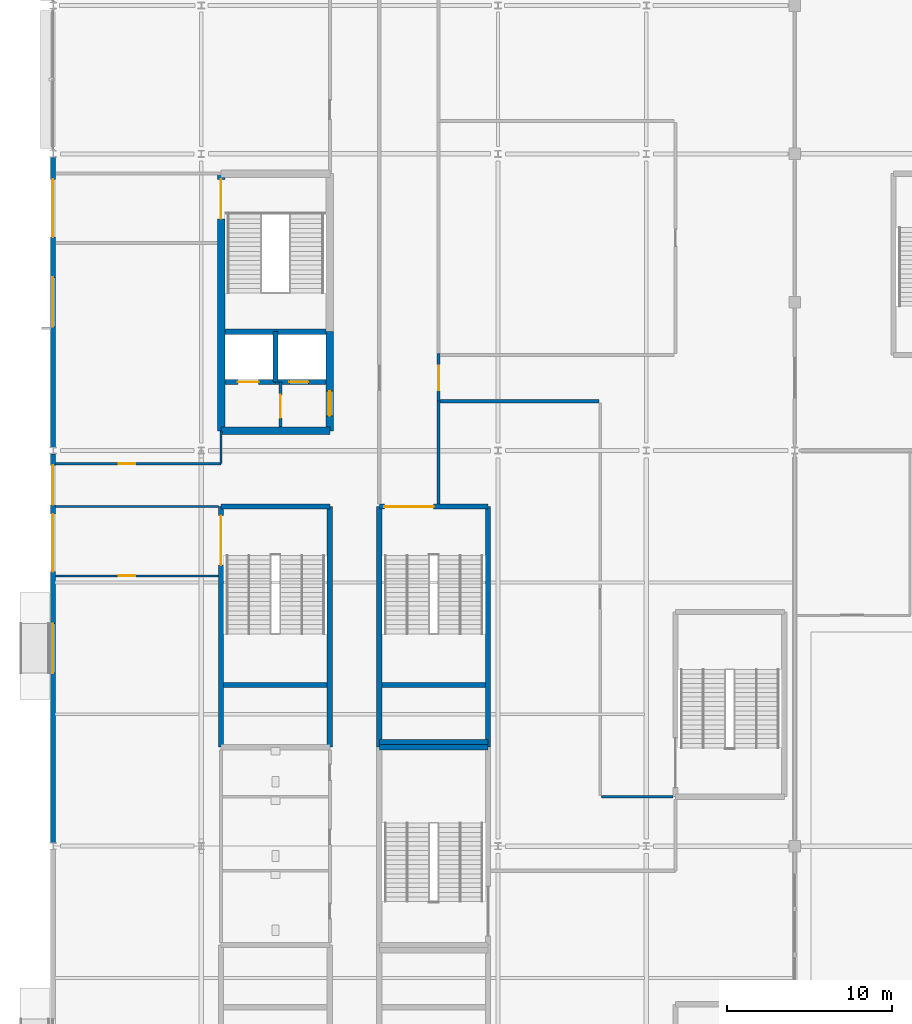
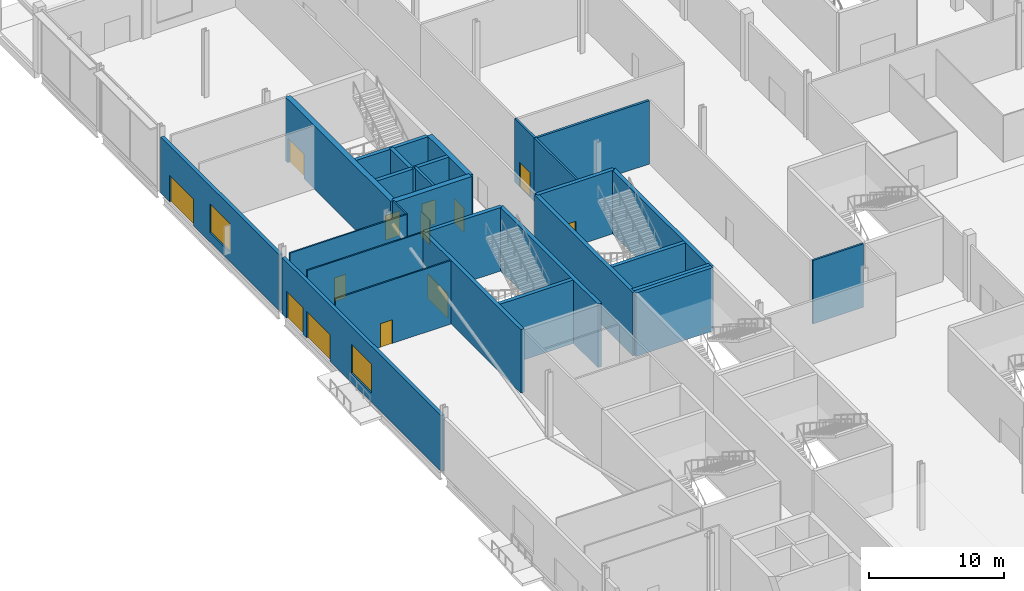
# One storey, part 34 of 84: 28 walls, 13 doors, 2 windows, 15 openings.
"""IFC4 building model written with IfcOpenShell, lengths in metres."""

from ifc_helpers import new_model, si_unit, direction, frame, frame_2d, origin, place, context, subcontext, project, spatial, rectangle, extrude, material, layer, layer_set, type_object, element, fill, save


model = new_model("IFC4")

# Units and contexts
model_context = context("Model", 3, precision=1e-05, world=origin(), true_north=direction((0.0, 1.0)))
body_context = subcontext(model_context, "Body", "Model", "MODEL_VIEW")
ifc_project = project(units=[si_unit("LENGTHUNIT", "METRE"), si_unit("AREAUNIT", "SQUARE_METRE"), si_unit("VOLUMEUNIT", "CUBIC_METRE"), si_unit("PLANEANGLEUNIT", "RADIAN"), si_unit("MASSUNIT", "GRAM", prefix="KILO")], contexts=[model_context])

# Site, building, storey
site_placement = place(None, origin())
site = spatial("IfcSite", under=ifc_project, at=site_placement, CompositionType="ELEMENT")
building_placement = place(site_placement, origin())
building = spatial("IfcBuilding", under=site, at=building_placement, Name="Kisiwana Market Hall", CompositionType="ELEMENT")
storey_placement = place(building_placement, origin())
storey = spatial("IfcBuildingStorey", under=building, at=storey_placement, Name="L00", CompositionType="ELEMENT", Elevation=0.0)

# Wall, opening, door
ifc_material_1 = material(Name="Masonry blockwork", Category="masonry")
ifc_layer_1 = layer(ifc_material_1, 0.199951171875, Name="Plastered fire compartment block wall")
ifc_layer_set_1 = layer_set([ifc_layer_1], Name="WL-COMP-200")
wall_type_1 = type_object("IfcWallType", Name="WL-COMP-200", PredefinedType="PARTITIONING", material=ifc_layer_set_1)
wall_1_placement = place(storey_placement, frame((13.800048828125, 85.425048828125, 0.0), z_axis=(0.0, 0.0, 1.0), x_axis=(0.0, 1.0, 0.0)))
wall_1 = element("IfcWall", 1, at=wall_1_placement, inside=storey, type_object=wall_type_1, Name="Core W1 firefighting lobby wall W-0530", PredefinedType="PARTITIONING", context=body_context, shape_type="SweptSolid", body=[
    extrude(rectangle(XDim=2.72998046875, YDim=0.199951171875, at=frame_2d((1.364990234375, 0.0))), origin(), (0.0, 0.0, 1.0), 5.75),
])
opening_1_placement = place(wall_1_placement, frame((0.550048828125, 0.0, 0.0)))
opening_1 = element("IfcOpeningElement", 2, at=opening_1_placement, cuts=wall_1, Name="Opening DR-L00-006", PredefinedType="OPENING", context=body_context, shape_type="SweptSolid", body=[
    extrude(rectangle(XDim=1.39990234375, YDim=2.25, at=frame_2d((0.699951171875, 1.125))), frame((0.0, 0.11181640625, 0.0), z_axis=(0.0, -1.0, 0.0), x_axis=(1.0, 0.0, 0.0)), (0.0, 0.0, 1.0), 0.223876953125),
])
ifc_material_2 = material(Name="Steel S275", Category="steel")
door_type_1 = type_object("IfcDoorType", Name="DR-FFLOB-FD120-1400", OperationType="DOUBLE_DOOR_SINGLE_SWING", PredefinedType="DOOR", material=ifc_material_2)
door_1_placement = place(opening_1_placement, frame((1.39990234375, 0.0, 0.0), z_axis=(0.0, 0.0, 1.0), x_axis=(-1.0, 0.0, 0.0)))
door_1 = element("IfcDoor", 3, at=door_1_placement, inside=storey, type_object=door_type_1, Name="Firefighting Lift Lobby W1 Door (L00)", OperationType="DOUBLE_DOOR_SINGLE_SWING", OverallHeight=2.25, OverallWidth=1.39990234375, PredefinedType="DOOR", context=body_context, shape_type="SweptSolid", body=[
    extrude(rectangle(XDim=1.39990234375, YDim=2.25, at=frame_2d((0.699951171875, 1.125))), frame((0.0, 0.02490234375, 0.0), z_axis=(0.0, -1.0, 0.0), x_axis=(1.0, 0.0, 0.0)), (0.0, 0.0, 1.0), 0.050048828125),
])
fill(opening_1, door_1)

# Walls
wall_2_placement = place(storey_placement, frame((23.39990234375, 87.0, 0.0), z_axis=(0.0, 0.0, 1.0), x_axis=(1.0, 0.0, 0.0)))
element("IfcWall", 4, at=wall_2_placement, inside=storey, type_object=wall_type_1, Name="Interior partition W-0549", PredefinedType="PARTITIONING", context=body_context, shape_type="SweptSolid", body=[
    extrude(rectangle(XDim=9.715087890625, YDim=0.199951171875, at=frame_2d((4.857421875, 0.0))), origin(), (0.0, 0.0, 1.0), 5.75),
])
ifc_material_3 = material(Name="Concrete C40/50", Category="concrete")
ifc_layer_2 = layer(ifc_material_3, 0.320068359375, Name="Reinforced concrete shaft wall")
ifc_layer_set_2 = layer_set([ifc_layer_2], Name="WL-CORE-320")
wall_type_2 = type_object("IfcWallType", Name="WL-CORE-320", PredefinedType="SHEAR", material=ifc_layer_set_2)
wall_3_placement = place(storey_placement, frame((10.425048828125, 91.215087890625, 0.0), z_axis=(0.0, 0.0, 1.0), x_axis=(1.0, 0.0, 0.0)))
element("IfcWall", 5, at=wall_3_placement, inside=storey, type_object=wall_type_2, Name="Core W1 shaft back shear wall W-0349", PredefinedType="SHEAR", context=body_context, shape_type="SweptSolid", body=[
    extrude(rectangle(XDim=6.14990234375, YDim=0.320068359375, at=frame_2d((3.074951171875, 0.0))), origin(), (0.0, 0.0, 1.0), 5.75),
])
wall_4_placement = place(storey_placement, frame((13.5, 88.155029296875, 0.0), z_axis=(0.0, 0.0, 1.0), x_axis=(0.0, 1.0, 0.0)))
element("IfcWall", 6, at=wall_4_placement, inside=storey, type_object=wall_type_2, Name="Core W1 inter-shaft shear wall W-0350", PredefinedType="SHEAR", context=body_context, shape_type="SweptSolid", body=[
    extrude(rectangle(XDim=3.06005859375, YDim=0.320068359375, at=frame_2d((1.530029296875, 0.0))), origin(), (0.0, 0.0, 1.0), 5.75),
])

# Wall, opening, door
wall_5_placement = place(storey_placement, frame((10.425048828125, 88.155029296875, 0.0), z_axis=(0.0, 0.0, 1.0), x_axis=(1.0, 0.0, 0.0)))
wall_5 = element("IfcWall", 7, at=wall_5_placement, inside=storey, type_object=wall_type_2, Name="Core W1 west lift front wall W-0351", PredefinedType="SHEAR", context=body_context, shape_type="SweptSolid", body=[
    extrude(rectangle(XDim=3.074951171875, YDim=0.320068359375, at=frame_2d((1.53759765625, 0.0))), origin(), (0.0, 0.0, 1.0), 5.75),
])
opening_2_placement = place(wall_5_placement, frame((0.800048828125, 0.0, 0.0)))
opening_2 = element("IfcOpeningElement", 8, at=opening_2_placement, cuts=wall_5, Name="Opening LD-L00-003", PredefinedType="OPENING", context=body_context, shape_type="SweptSolid", body=[
    extrude(rectangle(XDim=1.25, YDim=2.25, at=frame_2d((0.625, 1.125))), frame((0.0, 0.171875, 0.0), z_axis=(0.0, -1.0, 0.0), x_axis=(1.0, 0.0, 0.0)), (0.0, 0.0, 1.0), 0.343994140625),
])
ifc_material_4 = material(Name="Steel S275", Category="steel")
door_type_2 = type_object("IfcDoorType", Name="DR-LIFT-FFL-1250", OperationType="DOUBLE_DOOR_SLIDING", PredefinedType="DOOR", material=ifc_material_4)
door_2_placement = place(opening_2_placement, origin())
door_2 = element("IfcDoor", 9, at=door_2_placement, inside=storey, type_object=door_type_2, Name="Lift Landing Door FFL-02 (L00)", OperationType="DOUBLE_DOOR_SLIDING", OverallHeight=2.25, OverallWidth=1.25, PredefinedType="DOOR", context=body_context, shape_type="SweptSolid", body=[
    extrude(rectangle(XDim=1.25, YDim=2.25, at=frame_2d((0.625, 1.125))), frame((0.0, 0.02490234375, 0.0), z_axis=(0.0, -1.0, 0.0), x_axis=(1.0, 0.0, 0.0)), (0.0, 0.0, 1.0), 0.050048828125),
])
fill(opening_2, door_2)

wall_6_placement = place(storey_placement, frame((13.5, 88.155029296875, 0.0), z_axis=(0.0, 0.0, 1.0), x_axis=(1.0, 0.0, 0.0)))
wall_6 = element("IfcWall", 10, at=wall_6_placement, inside=storey, type_object=wall_type_2, Name="Core W1 east lift front wall W-0352", PredefinedType="SHEAR", context=body_context, shape_type="SweptSolid", body=[
    extrude(rectangle(XDim=3.074951171875, YDim=0.320068359375, at=frame_2d((1.53759765625, 0.0))), origin(), (0.0, 0.0, 1.0), 5.75),
])
opening_3_placement = place(wall_6_placement, frame((0.85009765625, 0.0, 0.0)))
opening_3 = element("IfcOpeningElement", 11, at=opening_3_placement, cuts=wall_6, Name="Opening LD-L00-004", PredefinedType="OPENING", context=body_context, shape_type="SweptSolid", body=[
    extrude(rectangle(XDim=1.14990234375, YDim=2.199951171875, at=frame_2d((0.574951171875, 1.10009765625))), frame((0.0, 0.171875, 0.0), z_axis=(0.0, -1.0, 0.0), x_axis=(1.0, 0.0, 0.0)), (0.0, 0.0, 1.0), 0.343994140625),
])
ifc_material_5 = material(Name="Steel S275", Category="steel")
door_type_3 = type_object("IfcDoorType", Name="DR-LIFT-PAX-1150", OperationType="DOUBLE_DOOR_SLIDING", PredefinedType="DOOR", material=ifc_material_5)
door_3_placement = place(opening_3_placement, origin())
door_3 = element("IfcDoor", 12, at=door_3_placement, inside=storey, type_object=door_type_3, Name="Lift Landing Door LP-02 (L00)", OperationType="DOUBLE_DOOR_SLIDING", OverallHeight=2.199951171875, OverallWidth=1.14990234375, PredefinedType="DOOR", context=body_context, shape_type="SweptSolid", body=[
    extrude(rectangle(XDim=1.14990234375, YDim=2.199951171875, at=frame_2d((0.574951171875, 1.10009765625))), frame((0.0, 0.02490234375, 0.0), z_axis=(0.0, -1.0, 0.0), x_axis=(1.0, 0.0, 0.0)), (0.0, 0.0, 1.0), 0.050048828125),
])
fill(opening_3, door_3)

# Wall
wall_7_placement = place(storey_placement, frame((10.199951171875, 80.60009765625, 0.0), z_axis=(0.0, 0.0, 1.0), x_axis=(1.0, 0.0, 0.0)))
element("IfcWall", 13, at=wall_7_placement, inside=storey, type_object=wall_type_2, Name="Core W4 north shear wall W-0399", PredefinedType="SHEAR", context=body_context, shape_type="SweptSolid", body=[
    extrude(rectangle(XDim=6.60009765625, YDim=0.320068359375, at=frame_2d((3.300048828125, 0.0))), origin(), (0.0, 0.0, 1.0), 5.75),
])

# Wall, opening, door
wall_8_placement = place(storey_placement, frame((10.199951171875, 66.0, 0.0), z_axis=(0.0, 0.0, 1.0), x_axis=(0.0, 1.0, 0.0)))
wall_8 = element("IfcWall", 14, at=wall_8_placement, inside=storey, type_object=wall_type_2, Name="Core W4 corridor shear wall W-0400", PredefinedType="SHEAR", context=body_context, shape_type="SweptSolid", body=[
    extrude(rectangle(XDim=14.60009765625, YDim=0.320068359375, at=frame_2d((7.300048828125, 0.0))), origin(), (0.0, 0.0, 1.0), 5.75),
])
opening_4_placement = place(wall_8_placement, frame((11.050048828125, 0.0, 0.0)))
opening_4 = element("IfcOpeningElement", 15, at=opening_4_placement, cuts=wall_8, Name="Opening DR-L00-020", PredefinedType="OPENING", context=body_context, shape_type="SweptSolid", body=[
    extrude(rectangle(XDim=3.0, YDim=2.25, at=frame_2d((1.5, 1.125))), frame((0.0, 0.171875, 0.0), z_axis=(0.0, -1.0, 0.0), x_axis=(1.0, 0.0, 0.0)), (0.0, 0.0, 1.0), 0.343994140625),
])
ifc_material_6 = material(Name="Steel S275", Category="steel")
door_type_4 = type_object("IfcDoorType", Name="DR-STAIR-FD120-3000", OperationType="DOUBLE_DOOR_SINGLE_SWING", PredefinedType="DOOR", material=ifc_material_6)
door_4_placement = place(opening_4_placement, frame((3.0, 0.0, 0.0), z_axis=(0.0, 0.0, 1.0), x_axis=(-1.0, 0.0, 0.0)))
door_4 = element("IfcDoor", 16, at=door_4_placement, inside=storey, type_object=door_type_4, Name="Escape Stair W4 Fire Door (L00)", OperationType="DOUBLE_DOOR_SINGLE_SWING", OverallHeight=2.25, OverallWidth=3.0, PredefinedType="DOOR", context=body_context, shape_type="SweptSolid", body=[
    extrude(rectangle(XDim=3.0, YDim=2.25, at=frame_2d((1.5, 1.125))), frame((0.0, 0.02490234375, 0.0), z_axis=(0.0, -1.0, 0.0), x_axis=(1.0, 0.0, 0.0)), (0.0, 0.0, 1.0), 0.050048828125),
])
fill(opening_4, door_4)

# Walls
wall_9_placement = place(storey_placement, frame((16.800048828125, 66.0, 0.0), z_axis=(0.0, 0.0, 1.0), x_axis=(0.0, 1.0, 0.0)))
element("IfcWall", 17, at=wall_9_placement, inside=storey, type_object=wall_type_2, Name="Core W4 outer shear wall W-0401", PredefinedType="SHEAR", context=body_context, shape_type="SweptSolid", body=[
    extrude(rectangle(XDim=14.60009765625, YDim=0.320068359375, at=frame_2d((7.300048828125, 0.0))), origin(), (0.0, 0.0, 1.0), 5.75),
])
wall_10_placement = place(storey_placement, frame((10.360107421875, 69.780029296875, 0.0), z_axis=(0.0, 0.0, 1.0), x_axis=(1.0, 0.0, 0.0)))
element("IfcWall", 18, at=wall_10_placement, inside=storey, type_object=wall_type_2, Name="Core W4 riser divider shear wall W-0402", PredefinedType="SHEAR", context=body_context, shape_type="SweptSolid", body=[
    extrude(rectangle(XDim=6.27978515625, YDim=0.320068359375, at=frame_2d((3.139892578125, 0.0))), origin(), (0.0, 0.0, 1.0), 5.75),
])
wall_11_placement = place(storey_placement, frame((19.800048828125, 66.0, 0.0), z_axis=(0.0, 0.0, 1.0), x_axis=(1.0, 0.0, 0.0)))
element("IfcWall", 19, at=wall_11_placement, inside=storey, type_object=wall_type_2, Name="Core W8 outer shear wall W-0423", PredefinedType="SHEAR", context=body_context, shape_type="SweptSolid", body=[
    extrude(rectangle(XDim=6.599853515625, YDim=0.320068359375, at=frame_2d((3.2998046875, 0.0))), origin(), (0.0, 0.0, 1.0), 5.75),
])

# Wall, opening, door
wall_12_placement = place(storey_placement, frame((19.800048828125, 80.60009765625, 0.0), z_axis=(0.0, 0.0, 1.0), x_axis=(1.0, 0.0, 0.0)))
wall_12 = element("IfcWall", 20, at=wall_12_placement, inside=storey, type_object=wall_type_2, Name="Core W8 corridor shear wall W-0424", PredefinedType="SHEAR", context=body_context, shape_type="SweptSolid", body=[
    extrude(rectangle(XDim=6.599853515625, YDim=0.320068359375, at=frame_2d((3.2998046875, 0.0))), origin(), (0.0, 0.0, 1.0), 5.75),
])
opening_5_placement = place(wall_12_placement, frame((0.300048828125, 0.0, 0.0)))
opening_5 = element("IfcOpeningElement", 21, at=opening_5_placement, cuts=wall_12, Name="Opening DR-L00-025", PredefinedType="OPENING", context=body_context, shape_type="SweptSolid", body=[
    extrude(rectangle(XDim=3.0, YDim=2.25, at=frame_2d((1.5, 1.125))), frame((0.0, 0.171875, 0.0), z_axis=(0.0, -1.0, 0.0), x_axis=(1.0, 0.0, 0.0)), (0.0, 0.0, 1.0), 0.343994140625),
])
door_5_placement = place(opening_5_placement, frame((3.0, 0.0, 0.0), z_axis=(0.0, 0.0, 1.0), x_axis=(-1.0, 0.0, 0.0)))
door_5 = element("IfcDoor", 22, at=door_5_placement, inside=storey, type_object=door_type_4, Name="Escape Stair W8 Fire Door (L00)", OperationType="DOUBLE_DOOR_SINGLE_SWING", OverallHeight=2.25, OverallWidth=3.0, PredefinedType="DOOR", context=body_context, shape_type="SweptSolid", body=[
    extrude(rectangle(XDim=3.0, YDim=2.25, at=frame_2d((1.5, 1.125))), frame((0.0, 0.02490234375, 0.0), z_axis=(0.0, -1.0, 0.0), x_axis=(1.0, 0.0, 0.0)), (0.0, 0.0, 1.0), 0.050048828125),
])
fill(opening_5, door_5)

# Walls
for number, where, z_axis, x_axis, name in (
    (23, (19.800048828125, 66.0, 0.0), (0.0, 0.0, 1.0), (0.0, 1.0, 0.0), "Core W8 west shear wall W-0425"),
    (24, (26.39990234375, 66.0, 0.0), (0.0, 0.0, 1.0), (0.0, 1.0, 0.0), "Core W8 east shear wall W-0426"),
):
    element("IfcWall", number, at=place(storey_placement, frame(where, z_axis=z_axis, x_axis=x_axis)), inside=storey, type_object=wall_type_2, Name=name, PredefinedType="SHEAR", context=body_context, shape_type="SweptSolid", body=[
        extrude(rectangle(XDim=14.60009765625, YDim=0.320068359375, at=frame_2d((7.300048828125, 0.0))), origin(), (0.0, 0.0, 1.0), 5.75),
    ])
wall_13_placement = place(storey_placement, frame((19.9599609375, 69.780029296875, 0.0), z_axis=(0.0, 0.0, 1.0), x_axis=(1.0, 0.0, 0.0)))
element("IfcWall", 25, at=wall_13_placement, inside=storey, type_object=wall_type_2, Name="Core W8 riser divider shear wall W-0427", PredefinedType="SHEAR", context=body_context, shape_type="SweptSolid", body=[
    extrude(rectangle(XDim=6.280029296875, YDim=0.320068359375, at=frame_2d((3.14013671875, 0.0))), origin(), (0.0, 0.0, 1.0), 5.75),
])
wall_14_placement = place(storey_placement, frame((19.800048828125, 66.320068359375, 0.0), z_axis=(0.0, 0.0, 1.0), x_axis=(1.0, 0.0, 0.0)))
element("IfcWall", 26, at=wall_14_placement, inside=storey, type_object=wall_type_2, Name="Core W5 north shear wall W-0450", PredefinedType="SHEAR", context=body_context, shape_type="SweptSolid", body=[
    extrude(rectangle(XDim=6.599853515625, YDim=0.320068359375, at=frame_2d((3.2998046875, 0.0))), origin(), (0.0, 0.0, 1.0), 5.75),
])
ifc_material_7 = material(Name="Concrete C40/50", Category="concrete")
ifc_layer_3 = layer(ifc_material_7, 0.449951171875, Name="Reinforced concrete core wall")
ifc_layer_set_3 = layer_set([ifc_layer_3], Name="WL-CORE-450")
wall_type_3 = type_object("IfcWallType", Name="WL-CORE-450", PredefinedType="SHEAR", material=ifc_layer_set_3)
wall_15_placement = place(storey_placement, frame((10.199951171875, 85.199951171875, 0.0), z_axis=(0.0, 0.0, 1.0), x_axis=(1.0, 0.0, 0.0)))
element("IfcWall", 27, at=wall_15_placement, inside=storey, type_object=wall_type_3, Name="Core W1 south shear wall W-0344", PredefinedType="SHEAR", context=body_context, shape_type="SweptSolid", body=[
    extrude(rectangle(XDim=6.60009765625, YDim=0.449951171875, at=frame_2d((3.300048828125, 0.0))), origin(), (0.0, 0.0, 1.0), 5.75),
])

# Wall, opening, door
wall_16_placement = place(storey_placement, frame((10.199951171875, 85.199951171875, 0.0), z_axis=(0.0, 0.0, 1.0), x_axis=(0.0, 1.0, 0.0)))
wall_16 = element("IfcWall", 28, at=wall_16_placement, inside=storey, type_object=wall_type_3, Name="Core W1 outer shear wall W-0346", PredefinedType="SHEAR", context=body_context, shape_type="SweptSolid", body=[
    extrude(rectangle(XDim=15.60009765625, YDim=0.449951171875, at=frame_2d((7.800048828125, 0.0))), origin(), (0.0, 0.0, 1.0), 5.75),
])
opening_6_placement = place(wall_16_placement, frame((12.85009765625, 0.0, 0.0)))
opening_6 = element("IfcOpeningElement", 29, at=opening_6_placement, cuts=wall_16, Name="Opening DR-L00-005", PredefinedType="OPENING", context=body_context, shape_type="SweptSolid", body=[
    extrude(rectangle(XDim=2.39990234375, YDim=2.25, at=frame_2d((1.199951171875, 1.125))), frame((0.0, 0.23681640625, 0.0), z_axis=(0.0, -1.0, 0.0), x_axis=(1.0, 0.0, 0.0)), (0.0, 0.0, 1.0), 0.473876953125),
])
ifc_material_8 = material(Name="Steel S275", Category="steel")
door_type_5 = type_object("IfcDoorType", Name="DR-STAIR-FD120-2400", OperationType="DOUBLE_DOOR_SINGLE_SWING", PredefinedType="DOOR", material=ifc_material_8)
door_6_placement = place(opening_6_placement, origin())
door_6 = element("IfcDoor", 30, at=door_6_placement, inside=storey, type_object=door_type_5, Name="Escape Stair W1 Fire Door (L00)", OperationType="DOUBLE_DOOR_SINGLE_SWING", OverallHeight=2.25, OverallWidth=2.39990234375, PredefinedType="DOOR", context=body_context, shape_type="SweptSolid", body=[
    extrude(rectangle(XDim=2.39990234375, YDim=2.25, at=frame_2d((1.199951171875, 1.125))), frame((0.0, 0.02490234375, 0.0), z_axis=(0.0, -1.0, 0.0), x_axis=(1.0, 0.0, 0.0)), (0.0, 0.0, 1.0), 0.050048828125),
])
fill(opening_6, door_6)

wall_17_placement = place(storey_placement, frame((16.800048828125, 85.199951171875, 0.0), z_axis=(0.0, 0.0, 1.0), x_axis=(0.0, 1.0, 0.0)))
wall_17 = element("IfcWall", 31, at=wall_17_placement, inside=storey, type_object=wall_type_3, Name="Core W1 lobby corridor shear wall W-0347", PredefinedType="SHEAR", context=body_context, shape_type="SweptSolid", body=[
    extrude(rectangle(XDim=6.01513671875, YDim=0.449951171875, at=frame_2d((3.007568359375, 0.0))), origin(), (0.0, 0.0, 1.0), 5.75),
])
opening_7_placement = place(wall_17_placement, frame((0.89990234375, 0.0, 0.0)))
opening_7 = element("IfcOpeningElement", 32, at=opening_7_placement, cuts=wall_17, Name="Opening DR-L00-004", PredefinedType="OPENING", context=body_context, shape_type="SweptSolid", body=[
    extrude(rectangle(XDim=1.5, YDim=2.199951171875, at=frame_2d((0.75, 1.10009765625))), frame((0.0, 0.23681640625, 0.0), z_axis=(0.0, -1.0, 0.0), x_axis=(1.0, 0.0, 0.0)), (0.0, 0.0, 1.0), 0.473876953125),
])
ifc_material_9 = material(Name="Steel S275", Category="steel")
door_type_6 = type_object("IfcDoorType", Name="DR-CORR-FD60-1500", OperationType="DOUBLE_DOOR_SINGLE_SWING", PredefinedType="DOOR", material=ifc_material_9)
door_7_placement = place(opening_7_placement, frame((1.5, 0.0, 0.0), z_axis=(0.0, 0.0, 1.0), x_axis=(-1.0, 0.0, 0.0)))
door_7 = element("IfcDoor", 33, at=door_7_placement, inside=storey, type_object=door_type_6, Name="Passenger Lift Lobby W1 Smoke Door (L00)", OperationType="DOUBLE_DOOR_SINGLE_SWING", OverallHeight=2.199951171875, OverallWidth=1.5, PredefinedType="DOOR", context=body_context, shape_type="SweptSolid", body=[
    extrude(rectangle(XDim=1.5, YDim=2.199951171875, at=frame_2d((0.75, 1.10009765625))), frame((0.0, 0.02490234375, 0.0), z_axis=(0.0, -1.0, 0.0), x_axis=(1.0, 0.0, 0.0)), (0.0, 0.0, 1.0), 0.050048828125),
])
fill(opening_7, door_7)

# Walls
ifc_material_10 = material(Name="Masonry blockwork", Category="masonry")
ifc_layer_4 = layer(ifc_material_10, 0.169921875, Name="Protected corridor partition")
ifc_layer_set_4 = layer_set([ifc_layer_4], Name="WL-CORR-170")
wall_type_4 = type_object("IfcWallType", Name="WL-CORR-170", PredefinedType="PARTITIONING", material=ifc_layer_set_4)
wall_18_placement = place(storey_placement, frame((23.39990234375, 80.760009765625, 0.0), z_axis=(0.0, 0.0, 1.0), x_axis=(0.0, 1.0, 0.0)))
element("IfcWall", 34, at=wall_18_placement, inside=storey, type_object=wall_type_4, Name="Interior partition W-0647", PredefinedType="PARTITIONING", context=body_context, shape_type="SweptSolid", body=[
    extrude(rectangle(XDim=6.239990234375, YDim=0.169921875, at=frame_2d((3.1201171875, 0.0))), origin(), (0.0, 0.0, 1.0), 5.75),
])
wall_19_placement = place(storey_placement, frame((33.284912109375, 63.0, 0.0), z_axis=(0.0, 0.0, 1.0), x_axis=(1.0, 0.0, 0.0)))
element("IfcWall", 35, at=wall_19_placement, inside=storey, type_object=wall_type_4, Name="Interior partition W-0656", PredefinedType="PARTITIONING", context=body_context, shape_type="SweptSolid", body=[
    extrude(rectangle(XDim=4.3251953125, YDim=0.169921875, at=frame_2d((2.16259765625, 0.0))), origin(), (0.0, 0.0, 1.0), 5.75),
])

# Wall, opening, door
wall_20_placement = place(storey_placement, frame((23.39990234375, 87.0, 0.0), z_axis=(0.0, 0.0, 1.0), x_axis=(0.0, 1.0, 0.0)))
wall_20 = element("IfcWall", 36, at=wall_20_placement, inside=storey, type_object=wall_type_4, Name="Interior partition W-0665", PredefinedType="PARTITIONING", context=body_context, shape_type="SweptSolid", body=[
    extrude(rectangle(XDim=2.89990234375, YDim=0.169921875, at=frame_2d((1.449951171875, 0.0))), origin(), (0.0, 0.0, 1.0), 5.75),
])
opening_8_placement = place(wall_20_placement, frame((0.64990234375, 0.0, 0.0)))
opening_8 = element("IfcOpeningElement", 37, at=opening_8_placement, cuts=wall_20, Name="Opening DR-L00-113", PredefinedType="OPENING", context=body_context, shape_type="SweptSolid", body=[
    extrude(rectangle(XDim=1.5, YDim=2.199951171875, at=frame_2d((0.75, 1.10009765625))), frame((0.0, 0.096923828125, 0.0), z_axis=(0.0, -1.0, 0.0), x_axis=(1.0, 0.0, 0.0)), (0.0, 0.0, 1.0), 0.19384765625),
])
door_8_placement = place(opening_8_placement, origin())
door_8 = element("IfcDoor", 38, at=door_8_placement, inside=storey, type_object=door_type_6, Name="L00 W North Market Link Corridor Cross Door", OperationType="DOUBLE_DOOR_SINGLE_SWING", OverallHeight=2.199951171875, OverallWidth=1.5, PredefinedType="DOOR", context=body_context, shape_type="SweptSolid", body=[
    extrude(rectangle(XDim=1.5, YDim=2.199951171875, at=frame_2d((0.75, 1.10009765625))), frame((0.0, 0.02490234375, 0.0), z_axis=(0.0, -1.0, 0.0), x_axis=(1.0, 0.0, 0.0)), (0.0, 0.0, 1.0), 0.050048828125),
])
fill(opening_8, door_8)

# Wall, openings, doors, window
ifc_material_11 = material(Name="Masonry blockwork", Category="masonry")
ifc_layer_5 = layer(ifc_material_11, 0.139892578125, Name="Rendered masonry outer leaf")
ifc_material_12 = material(Name="Mineral wool insulation")
ifc_layer_6 = layer(ifc_material_12, 0.074951171875, Name="Mineral wool cavity insulation")
ifc_material_13 = material(Name="Gypsum plasterboard")
ifc_layer_7 = layer(ifc_material_13, 0.074951171875, Name="Calcium silicate inner lining")
ifc_layer_set_5 = layer_set([ifc_layer_5, ifc_layer_6, ifc_layer_7], Name="WL-EXT-MAS-290")
wall_type_5 = type_object("IfcWallType", Name="WL-EXT-MAS-290", PredefinedType="STANDARD", material=ifc_layer_set_5)
wall_21_placement = place(storey_placement, frame((0.0, 60.198486328125, 0.0), z_axis=(0.0, 0.0, 1.0), x_axis=(0.0, 1.0, 0.0)))
wall_21 = element("IfcWall", 39, at=wall_21_placement, inside=storey, type_object=wall_type_5, Name="Exterior wall W-0521", PredefinedType="STANDARD", context=body_context, shape_type="SweptSolid", body=[
    extrude(rectangle(XDim=23.60302734375, YDim=0.2900390625, at=frame_2d((11.801513671875, 0.0))), origin(), (0.0, 0.0, 1.0), 5.06640625),
])
opening_9_placement = place(wall_21_placement, frame((20.50146484375, 0.0, 0.0)))
opening_9 = element("IfcOpeningElement", 40, at=opening_9_placement, cuts=wall_21, Name="Opening DR-L00-867", PredefinedType="OPENING", context=body_context, shape_type="SweptSolid", body=[
    extrude(rectangle(XDim=2.39990234375, YDim=2.39990234375, at=frame_2d((1.199951171875, 1.199951171875))), frame((0.0, 0.156982421875, 0.0), z_axis=(0.0, -1.0, 0.0), x_axis=(1.0, 0.0, 0.0)), (0.0, 0.0, 1.0), 0.31396484375),
])
opening_10_placement = place(wall_21_placement, frame((16.451416015625, 0.0, 0.0)))
opening_10 = element("IfcOpeningElement", 41, at=opening_10_placement, cuts=wall_21, Name="Opening DR-L00-868", PredefinedType="OPENING", context=body_context, shape_type="SweptSolid", body=[
    extrude(rectangle(XDim=3.5, YDim=2.39990234375, at=frame_2d((1.75, 1.199951171875))), frame((0.0, 0.156982421875, 0.0), z_axis=(0.0, -1.0, 0.0), x_axis=(1.0, 0.0, 0.0)), (0.0, 0.0, 1.0), 0.31396484375),
])
opening_11_placement = place(wall_21_placement, frame((10.301513671875, 0.0, 0.85009765625)))
opening_11 = element("IfcOpeningElement", 42, at=opening_11_placement, cuts=wall_21, Name="Opening WN-06", PredefinedType="OPENING", context=body_context, shape_type="SweptSolid", body=[
    extrude(rectangle(XDim=3.0, YDim=2.60009765625, at=frame_2d((1.5, 1.300048828125))), frame((0.0, 0.156982421875, 0.0), z_axis=(0.0, -1.0, 0.0), x_axis=(1.0, 0.0, 0.0)), (0.0, 0.0, 1.0), 0.31396484375),
])
ifc_material_14 = material(Name="Aluminium alloy 6063-T6", Category="aluminium")
door_type_7 = type_object("IfcDoorType", Name="DR-EXT-EX-2400", OperationType="DOUBLE_DOOR_SINGLE_SWING", PredefinedType="DOOR", material=ifc_material_14)
door_9_placement = place(opening_9_placement, origin())
door_9 = element("IfcDoor", 43, at=door_9_placement, inside=storey, type_object=door_type_7, Name="Access corridor final exit door DR-L00-867", OperationType="DOUBLE_DOOR_SINGLE_SWING", OverallHeight=2.39990234375, OverallWidth=2.39990234375, PredefinedType="DOOR", context=body_context, shape_type="SweptSolid", body=[
    extrude(rectangle(XDim=2.39990234375, YDim=2.39990234375, at=frame_2d((1.199951171875, 1.199951171875))), frame((0.0, 0.02490234375, 0.0), z_axis=(0.0, -1.0, 0.0), x_axis=(1.0, 0.0, 0.0)), (0.0, 0.0, 1.0), 0.050048828125),
])
fill(opening_9, door_9)
ifc_material_15 = material(Name="Aluminium alloy 6063-T6", Category="aluminium")
door_type_8 = type_object("IfcDoorType", Name="DR-EXT-EX-3500", OperationType="DOUBLE_DOOR_SINGLE_SWING", PredefinedType="DOOR", material=ifc_material_15)
door_10_placement = place(opening_10_placement, origin())
door_10 = element("IfcDoor", 44, at=door_10_placement, inside=storey, type_object=door_type_8, Name="Escape passage final exit door DR-L00-868", OperationType="DOUBLE_DOOR_SINGLE_SWING", OverallHeight=2.39990234375, OverallWidth=3.5, PredefinedType="DOOR", context=body_context, shape_type="SweptSolid", body=[
    extrude(rectangle(XDim=3.5, YDim=2.39990234375, at=frame_2d((1.75, 1.199951171875))), frame((0.0, 0.02490234375, 0.0), z_axis=(0.0, -1.0, 0.0), x_axis=(1.0, 0.0, 0.0)), (0.0, 0.0, 1.0), 0.050048828125),
])
fill(opening_10, door_10)
ifc_material_16 = material(Name="Double-glazed solar-control low-E IGU", Category="glass")
window_type = type_object("IfcWindowType", Name="WN-POD-3000x2600", PartitioningType="SINGLE_PANEL", PredefinedType="WINDOW", material=ifc_material_16)
window_1_placement = place(opening_11_placement, origin())
window_1 = element("IfcWindow", 45, at=window_1_placement, inside=storey, type_object=window_type, Name="Exterior window WN-008", OverallHeight=2.60009765625, OverallWidth=3.0, PartitioningType="SINGLE_PANEL", PredefinedType="WINDOW", context=body_context, shape_type="SweptSolid", body=[
    extrude(rectangle(XDim=3.0, YDim=2.60009765625, at=frame_2d((1.5, 1.300048828125))), frame((0.0, 0.030029296875, 0.0), z_axis=(0.0, -1.0, 0.0), x_axis=(1.0, 0.0, 0.0)), (0.0, 0.0, 1.0), 0.06005859375),
])
fill(opening_11, window_1)

# Wall, openings, door, window
wall_22_placement = place(storey_placement, frame((0.0, 84.198486328125, 0.0), z_axis=(0.0, 0.0, 1.0), x_axis=(0.0, 1.0, 0.0)))
wall_22 = element("IfcWall", 46, at=wall_22_placement, inside=storey, type_object=wall_type_5, Name="Exterior wall W-0522", PredefinedType="STANDARD", context=body_context, shape_type="SweptSolid", body=[
    extrude(rectangle(XDim=17.60302734375, YDim=0.2900390625, at=frame_2d((8.801513671875, 0.0))), origin(), (0.0, 0.0, 1.0), 5.06640625),
])
opening_12_placement = place(wall_22_placement, frame((12.75146484375, 0.0, 0.0)))
opening_12 = element("IfcOpeningElement", 47, at=opening_12_placement, cuts=wall_22, Name="Opening DR-L00-869", PredefinedType="OPENING", context=body_context, shape_type="SweptSolid", body=[
    extrude(rectangle(XDim=3.5, YDim=2.39990234375, at=frame_2d((1.75, 1.199951171875))), frame((0.0, 0.156982421875, 0.0), z_axis=(0.0, -1.0, 0.0), x_axis=(1.0, 0.0, 0.0)), (0.0, 0.0, 1.0), 0.31396484375),
])
opening_13_placement = place(wall_22_placement, frame((7.301513671875, 0.0, 0.85009765625)))
opening_13 = element("IfcOpeningElement", 48, at=opening_13_placement, cuts=wall_22, Name="Opening WN-06", PredefinedType="OPENING", context=body_context, shape_type="SweptSolid", body=[
    extrude(rectangle(XDim=3.0, YDim=2.60009765625, at=frame_2d((1.5, 1.300048828125))), frame((0.0, 0.156982421875, 0.0), z_axis=(0.0, -1.0, 0.0), x_axis=(1.0, 0.0, 0.0)), (0.0, 0.0, 1.0), 0.31396484375),
])
door_11_placement = place(opening_12_placement, origin())
door_11 = element("IfcDoor", 49, at=door_11_placement, inside=storey, type_object=door_type_8, Name="Escape passage final exit door DR-L00-869", OperationType="DOUBLE_DOOR_SINGLE_SWING", OverallHeight=2.39990234375, OverallWidth=3.5, PredefinedType="DOOR", context=body_context, shape_type="SweptSolid", body=[
    extrude(rectangle(XDim=3.5, YDim=2.39990234375, at=frame_2d((1.75, 1.199951171875))), frame((0.0, 0.02490234375, 0.0), z_axis=(0.0, -1.0, 0.0), x_axis=(1.0, 0.0, 0.0)), (0.0, 0.0, 1.0), 0.050048828125),
])
fill(opening_12, door_11)
window_2_placement = place(opening_13_placement, origin())
window_2 = element("IfcWindow", 50, at=window_2_placement, inside=storey, type_object=window_type, Name="Exterior window WN-009", OverallHeight=2.60009765625, OverallWidth=3.0, PartitioningType="SINGLE_PANEL", PredefinedType="WINDOW", context=body_context, shape_type="SweptSolid", body=[
    extrude(rectangle(XDim=3.0, YDim=2.60009765625, at=frame_2d((1.5, 1.300048828125))), frame((0.0, 0.030029296875, 0.0), z_axis=(0.0, -1.0, 0.0), x_axis=(1.0, 0.0, 0.0)), (0.0, 0.0, 1.0), 0.06005859375),
])
fill(opening_13, window_2)

# Walls
ifc_material_17 = material(Name="Gypsum plasterboard")
ifc_layer_8 = layer(ifc_material_17, 0.125, Name="Double gypsum board + acoustic stud")
ifc_layer_set_6 = layer_set([ifc_layer_8], Name="WL-OFF-125")
wall_type_6 = type_object("IfcWallType", Name="WL-OFF-125", PredefinedType="PARTITIONING", material=ifc_layer_set_6)
wall_23_placement = place(storey_placement, frame((10.199951171875, 83.199951171875, 0.0), z_axis=(0.0, 0.0, 1.0), x_axis=(0.0, 1.0, 0.0)))
element("IfcWall", 51, at=wall_23_placement, inside=storey, type_object=wall_type_6, Name="Interior partition W-0538", PredefinedType="PARTITIONING", context=body_context, shape_type="SweptSolid", body=[
    extrude(rectangle(XDim=2.0, YDim=0.125, at=frame_2d((1.0, 0.0))), origin(), (0.0, 0.0, 1.0), 5.75),
])
wall_24_placement = place(storey_placement, frame((0.14501953125, 80.60009765625, 0.0), z_axis=(0.0, 0.0, 1.0), x_axis=(1.0, 0.0, 0.0)))
element("IfcWall", 52, at=wall_24_placement, inside=storey, type_object=wall_type_6, Name="Interior partition W-0543", PredefinedType="PARTITIONING", context=body_context, shape_type="SweptSolid", body=[
    extrude(rectangle(XDim=9.89501953125, YDim=0.125, at=frame_2d((4.947509765625, 0.0))), origin(), (0.0, 0.0, 1.0), 5.75),
])

# Wall, opening, door
wall_25_placement = place(storey_placement, frame((0.14501953125, 83.199951171875, 0.0), z_axis=(0.0, 0.0, 1.0), x_axis=(1.0, 0.0, 0.0)))
wall_25 = element("IfcWall", 53, at=wall_25_placement, inside=storey, type_object=wall_type_6, Name="Interior partition W-0544", PredefinedType="PARTITIONING", context=body_context, shape_type="SweptSolid", body=[
    extrude(rectangle(XDim=10.054931640625, YDim=0.125, at=frame_2d((5.02734375, 0.0))), origin(), (0.0, 0.0, 1.0), 5.75),
])
opening_14_placement = place(wall_25_placement, frame((3.85498046875, 0.0, 0.0)))
opening_14 = element("IfcOpeningElement", 54, at=opening_14_placement, cuts=wall_25, Name="Opening DR-L00-045", PredefinedType="OPENING", context=body_context, shape_type="SweptSolid", body=[
    extrude(rectangle(XDim=1.0, YDim=2.14990234375, at=frame_2d((0.5, 1.074951171875))), frame((0.0, 0.074462890625, 0.0), z_axis=(0.0, -1.0, 0.0), x_axis=(1.0, 0.0, 0.0)), (0.0, 0.0, 1.0), 0.14892578125),
])
ifc_material_18 = material(Name="Steel S275", Category="steel")
door_type_9 = type_object("IfcDoorType", Name="DR-OFF-FD30-1000", OperationType="NOTDEFINED", PredefinedType="DOOR", material=ifc_material_18)
door_12_placement = place(opening_14_placement, origin())
door_12 = element("IfcDoor", 55, at=door_12_placement, inside=storey, type_object=door_type_9, Name="L00 W Municipal Office North Door", OperationType="SINGLE_SWING_LEFT", OverallHeight=2.14990234375, OverallWidth=1.0, PredefinedType="DOOR", context=body_context, shape_type="SweptSolid", body=[
    extrude(rectangle(XDim=1.0, YDim=2.14990234375, at=frame_2d((0.5, 1.074951171875))), frame((0.0, 0.02490234375, 0.0), z_axis=(0.0, -1.0, 0.0), x_axis=(1.0, 0.0, 0.0)), (0.0, 0.0, 1.0), 0.050048828125),
])
fill(opening_14, door_12)

wall_26_placement = place(storey_placement, frame((0.14501953125, 76.39990234375, 0.0), z_axis=(0.0, 0.0, 1.0), x_axis=(1.0, 0.0, 0.0)))
wall_26 = element("IfcWall", 56, at=wall_26_placement, inside=storey, type_object=wall_type_6, Name="Interior partition W-0650", PredefinedType="PARTITIONING", context=body_context, shape_type="SweptSolid", body=[
    extrude(rectangle(XDim=9.89501953125, YDim=0.125, at=frame_2d((4.947509765625, 0.0))), origin(), (0.0, 0.0, 1.0), 5.75),
])
opening_15_placement = place(wall_26_placement, frame((3.85498046875, 0.0, 0.0)))
opening_15 = element("IfcOpeningElement", 57, at=opening_15_placement, cuts=wall_26, Name="Opening DR-L00-105", PredefinedType="OPENING", context=body_context, shape_type="SweptSolid", body=[
    extrude(rectangle(XDim=1.0, YDim=2.14990234375, at=frame_2d((0.5, 1.074951171875))), frame((0.0, 0.074462890625, 0.0), z_axis=(0.0, -1.0, 0.0), x_axis=(1.0, 0.0, 0.0)), (0.0, 0.0, 1.0), 0.14892578125),
])
door_13_placement = place(opening_15_placement, origin())
door_13 = element("IfcDoor", 58, at=door_13_placement, inside=storey, type_object=door_type_9, Name="L00 W Municipal Office Central North Door", OperationType="SINGLE_SWING_LEFT", OverallHeight=2.14990234375, OverallWidth=1.0, PredefinedType="DOOR", context=body_context, shape_type="SweptSolid", body=[
    extrude(rectangle(XDim=1.0, YDim=2.14990234375, at=frame_2d((0.5, 1.074951171875))), frame((0.0, 0.02490234375, 0.0), z_axis=(0.0, -1.0, 0.0), x_axis=(1.0, 0.0, 0.0)), (0.0, 0.0, 1.0), 0.050048828125),
])
fill(opening_15, door_13)

save(model, "model.ifc")
